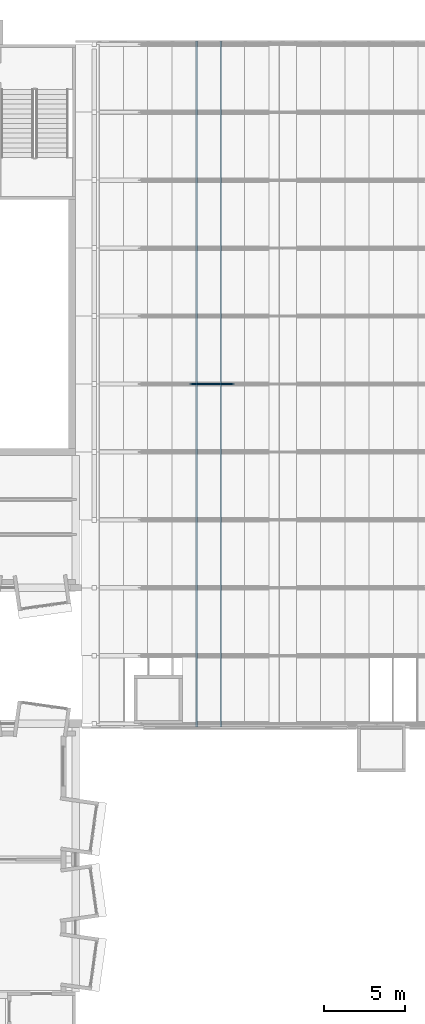
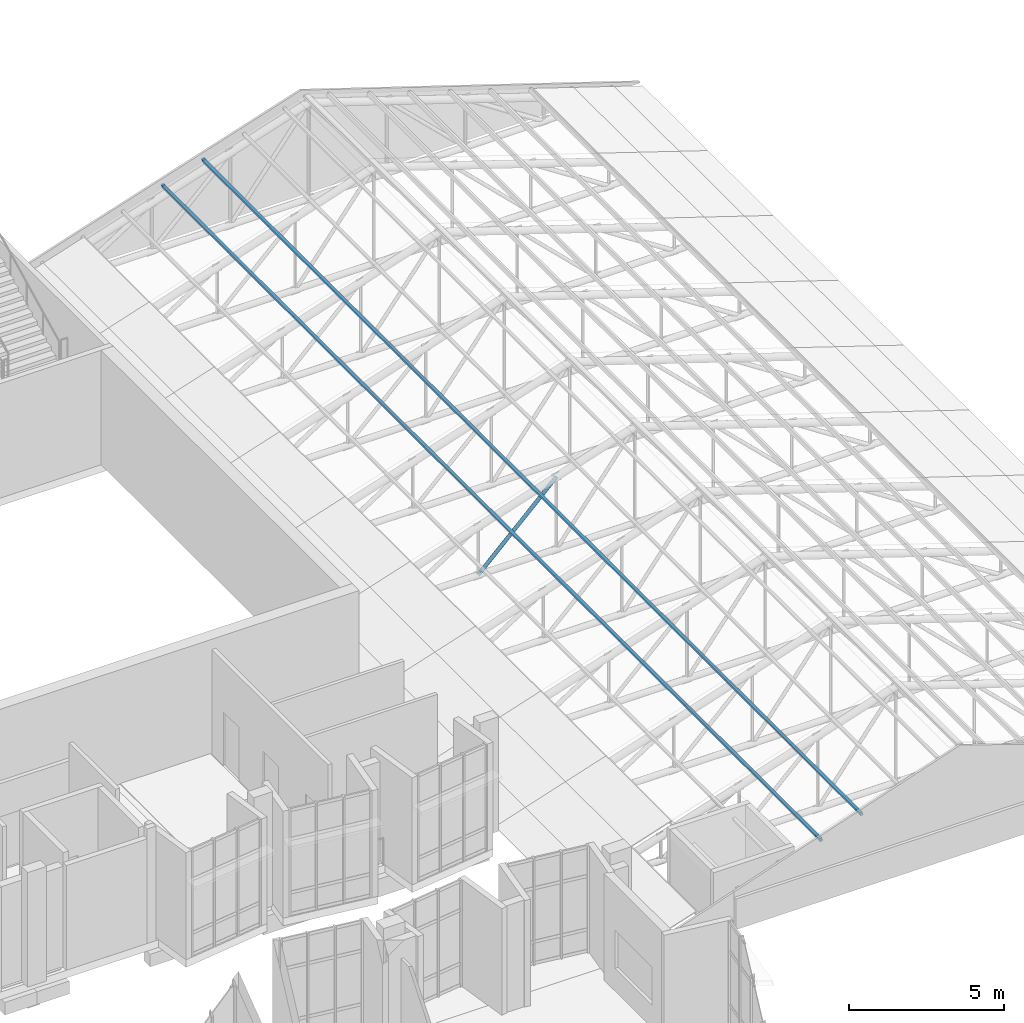
# One storey, part 24 of 95: 3 members.
"""IFC4 building model written with IfcOpenShell, lengths in metres."""

from ifc_helpers import new_model, si_unit, direction, frame, origin, origin_2d, place, context, subcontext, project, spatial, hollow_rectangle, hollow_circle, extrude, material, material_profile, profile_set, type_object, element, save


model = new_model("IFC4")

# Units and contexts
model_context = context("Model", 3, precision=1e-05, world=origin(), true_north=direction((0.0, 1.0)))
body_context = subcontext(model_context, "Body", "Model", "MODEL_VIEW")
ifc_project = project(units=[si_unit("LENGTHUNIT", "METRE"), si_unit("AREAUNIT", "SQUARE_METRE"), si_unit("VOLUMEUNIT", "CUBIC_METRE"), si_unit("PLANEANGLEUNIT", "RADIAN"), si_unit("MASSUNIT", "GRAM", prefix="KILO")], contexts=[model_context])

# Site, building, storey
site_placement = place(None, origin())
site = spatial("IfcSite", under=ifc_project, at=site_placement, CompositionType="ELEMENT")
building_placement = place(site_placement, origin())
building = spatial("IfcBuilding", under=site, at=building_placement, Name="Kiln Court Media Centre", CompositionType="ELEMENT")
storey_placement = place(building_placement, frame((0.0, 0.0, 24.60009765625)))
storey = spatial("IfcBuildingStorey", under=building, at=storey_placement, Name="L05", CompositionType="ELEMENT", Elevation=24.60009765625)

# Members
ifc_material_1 = material(Name="Steel ASTM A500 Gr C", Category="steel")
ifc_material_profile_1 = material_profile(ifc_material_1, hollow_circle(Radius=0.06982421875, WallThickness=0.0048828125, at=origin_2d()), Name="CHS 139.7x5.0")
ifc_profile_set_1 = profile_set([ifc_material_profile_1], Name="Steel ASTM A500 Gr C")
member_type_1 = type_object("IfcMemberType", Name="Steel ASTM A500 Gr C CHS 139.7x5.0 truss web", PredefinedType="BRACE", material=ifc_profile_set_1)
member_placement = place(storey_placement, frame((40.574951171875, 46.199951171875, -0.013916015625), z_axis=(0.716082640751, 0.0, 0.69801550958), x_axis=(0.0, 1.0, 0.0)))
element("IfcMember", 1, at=member_placement, inside=storey, type_object=member_type_1, Name="foyer truss FT-06 diagonal 3 truss web", PredefinedType="BRACE", context=body_context, shape_type="SweptSolid", body=[
    extrude(hollow_circle(Radius=0.06982421875, WallThickness=0.0048828125, at=origin_2d()), origin(), (0.0, 0.0, 1.0), 4.0673828125),
])
ifc_material_2 = material(Name="Steel ASTM A500 Gr C", Category="steel")
ifc_material_profile_2 = material_profile(ifc_material_2, hollow_rectangle(XDim=0.10009765625, YDim=0.14990234375, WallThickness=0.008056640625, at=origin_2d()), Name="RHS 150x100x8.0")
ifc_profile_set_2 = profile_set([ifc_material_profile_2], Name="Steel ASTM A500 Gr C")
member_type_2 = type_object("IfcMemberType", Name="Steel ASTM A500 Gr C RHS 150x100x8.0 roof purlin", PredefinedType="PURLIN", material=ifc_profile_set_2)
for number, where, z_axis, x_axis, name in (
    (2, (41.085205078125, 25.005615234375, 2.264892578125), (0.0, 1.0, 0.0), (-0.951056516295, 0.0, -0.309016994375), "foyer roof west purlin 5 roof purlin"),
    (3, (42.585205078125, 25.005615234375, 2.752197265625), (0.0, 1.0, 0.0), (-0.951056516295, 0.0, -0.309016994375), "foyer roof west purlin 6 roof purlin"),
):
    element("IfcMember", number, at=place(storey_placement, frame(where, z_axis=z_axis, x_axis=x_axis)), inside=storey, type_object=member_type_2, Name=name, PredefinedType="PURLIN", context=body_context, shape_type="SweptSolid", body=[
        extrude(hollow_rectangle(XDim=0.10009765625, YDim=0.14990234375, WallThickness=0.008056640625, at=origin_2d()), origin(), (0.0, 0.0, 1.0), 42.388916015625),
    ])

save(model, "model.ifc")
